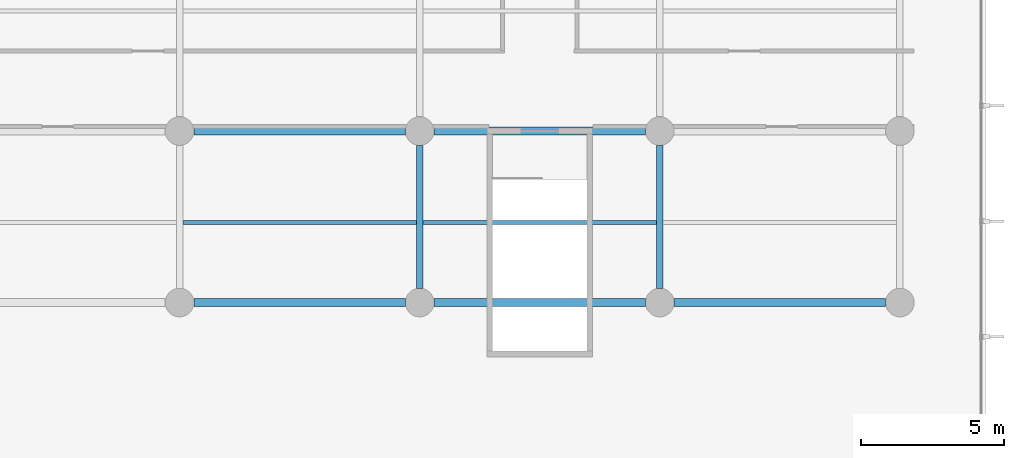
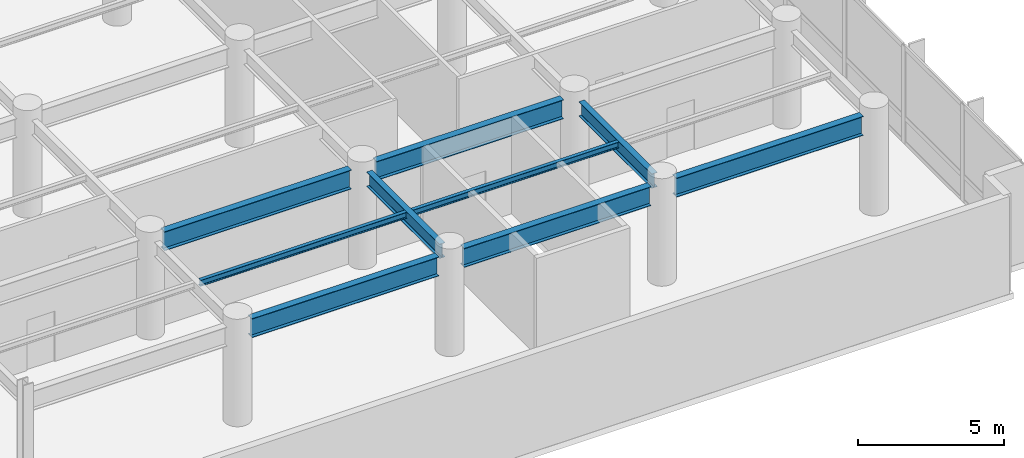
# One storey, part 6 of 23: 9 beams.
"""IFC4 building model written with IfcOpenShell, lengths in metres."""

import ifcopenshell
import ifcopenshell.guid

model = None  # the IFC model being written
_history = None  # IfcOwnerHistory: only IFC2X3 demands one
_inside = {}  # id of a spatial element -> (the spatial element, [elements in it])
_under = {}  # id of a project, library or spatial element -> (it, [spatial elements below it])
_declared = {}  # id of a project -> (the project, [libraries it declares])
_typed = {}  # id of a type object -> (the type object, [elements of that type])
_made_of = {}  # id of a material, layer set ... -> (it, [elements and type objects made of it])


def new_model(schema):
    """Start an empty IFC model of exactly this schema.

    Asked for "IFC4X3", IfcOpenShell would pick the latest addendum, in which some entities
    have other attributes; the version numbers below select the first issue.
    IFC2X3 requires an IfcOwnerHistory on every rooted entity: one is made here for all.
    """
    global model, _history
    if schema == "IFC4X3":
        model = ifcopenshell.file(schema_version=(4, 3, 0, 0))
    else:
        model = ifcopenshell.file(schema=schema)
    _inside.clear()
    _under.clear()
    _declared.clear()
    _typed.clear()
    _made_of.clear()
    _history = None
    if model.schema == "IFC2X3":
        org = make("IfcOrganization", Name="unknown")
        user = make(
            "IfcPersonAndOrganization",
            ThePerson=make("IfcPerson", FamilyName="unknown"),
            TheOrganization=org,
        )
        app = make(
            "IfcApplication",
            ApplicationDeveloper=org,
            Version="unknown",
            ApplicationFullName="unknown",
            ApplicationIdentifier="unknown",
        )
        _history = make(
            "IfcOwnerHistory",
            OwningUser=user,
            OwningApplication=app,
            ChangeAction="ADDED",
            CreationDate=0,
        )
    return model


def make(cls, **values):
    """One entity of the class cls with the attributes given. An attribute that is None is left unset."""
    return model.create_entity(
        cls, **{name: value for name, value in values.items() if value is not None}
    )


def rooted(cls, **values):
    """An entity with a GlobalId (a new one), such as an element, a storey or a relation."""
    return make(cls, GlobalId=ifcopenshell.guid.new(), OwnerHistory=_history, **values)


def si_unit(unit_type, name, prefix=None):
    """IfcSIUnit, for example si_unit("LENGTHUNIT", "METRE", prefix="MILLI")."""
    return make("IfcSIUnit", UnitType=unit_type, Prefix=prefix, Name=name)


def assignment(units):
    """IfcUnitAssignment: the units of a project."""
    return None if units is None else make("IfcUnitAssignment", Units=units)


def point(xyz):
    """IfcCartesianPoint."""
    return None if xyz is None else make("IfcCartesianPoint", Coordinates=xyz)


def direction(xyz):
    """IfcDirection."""
    return None if xyz is None else make("IfcDirection", DirectionRatios=xyz)


def frame(location, z_axis=None, x_axis=None):
    """IfcAxis2Placement3D, a coordinate frame: its origin and axes. An axis left out is left unset."""
    return make(
        "IfcAxis2Placement3D",
        Location=point(location),
        Axis=direction(z_axis),
        RefDirection=direction(x_axis),
    )


def frame_2d(location, x_axis=None):
    """IfcAxis2Placement2D, a coordinate frame in the plane: its origin and x axis."""
    return make(
        "IfcAxis2Placement2D", Location=point(location), RefDirection=direction(x_axis)
    )


def origin():
    """The frame at (0, 0, 0) with its axes left unset."""
    return frame((0.0, 0.0, 0.0))


def origin_2d():
    """The frame at (0, 0) in the plane with its x axis left unset."""
    return frame_2d((0.0, 0.0))


def place(relative_to, where):
    """IfcLocalPlacement: puts the frame where relative to a parent placement (None: the world)."""
    return make(
        "IfcLocalPlacement", PlacementRelTo=relative_to, RelativePlacement=where
    )


def context(
    kind, dimensions, precision=None, world=None, true_north=None, identifier=None
):
    """IfcGeometricRepresentationContext, for example the 3D "Model" context."""
    return make(
        "IfcGeometricRepresentationContext",
        ContextIdentifier=identifier,
        ContextType=kind,
        CoordinateSpaceDimension=dimensions,
        Precision=precision,
        WorldCoordinateSystem=world,
        TrueNorth=true_north,
    )


def subcontext(parent, identifier, kind, view, scale=None):
    """IfcGeometricRepresentationSubContext, for example "Body" below "Model"."""
    return make(
        "IfcGeometricRepresentationSubContext",
        ContextIdentifier=identifier,
        ContextType=kind,
        ParentContext=parent,
        TargetScale=scale,
        TargetView=view,
    )


def project(units=None, contexts=None):
    """IfcProject with its units and contexts."""
    return rooted(
        "IfcProject",
        Name="project",
        RepresentationContexts=contexts,
        UnitsInContext=assignment(units),
    )


def spatial(cls, under=None, at=None, **own):
    """A site, building, storey or space (cls), placed at a placement, below another one or the project."""
    s = rooted(cls, ObjectPlacement=at, **own)
    if under is not None:
        _under.setdefault(under.id(), (under, []))[1].append(s)
    return s


def profile(cls, at=None, kind="AREA", **sizes):
    """A parametric profile (cls). Its sizes go by their IFC names, for example OverallWidth=200.0."""
    return make(cls, ProfileType=kind, Position=at, **sizes)


def i_section(**sizes):
    """IfcIShapeProfileDef."""
    return profile("IfcIShapeProfileDef", **sizes)


def extrude(swept, where, along, depth):
    """IfcExtrudedAreaSolid: the profile swept, set in the frame where, extruded along a direction by depth."""
    return make(
        "IfcExtrudedAreaSolid",
        SweptArea=swept,
        Position=where,
        ExtrudedDirection=direction(along),
        Depth=depth,
    )


def shape(context_of_items, identifier, shape_type, items):
    """IfcShapeRepresentation: the items that make up one representation, for example the "Body"."""
    return make(
        "IfcShapeRepresentation",
        ContextOfItems=context_of_items,
        RepresentationIdentifier=identifier,
        RepresentationType=shape_type,
        Items=items,
    )


def material(Name=None, Category=None):
    """IfcMaterial."""
    return make("IfcMaterial", Name=Name, Category=Category)


def material_profile(
    of_material, cross_section, Name=None, Category=None, Priority=None
):
    """IfcMaterialProfile: a cross section and its material."""
    return make(
        "IfcMaterialProfile",
        Name=Name,
        Material=of_material,
        Profile=cross_section,
        Priority=Priority,
        Category=Category,
    )


def profile_set(profiles, Name=None, composite=None):
    """IfcMaterialProfileSet."""
    return make(
        "IfcMaterialProfileSet",
        Name=Name,
        MaterialProfiles=profiles,
        CompositeProfile=composite,
    )


def made_of(thing, what):
    """Note that an element or type object is made of a material, layer set ...; save() writes the relation."""
    if what is not None:
        _made_of.setdefault(what.id(), (what, []))[1].append(thing)
    return thing


def type_object(cls, material=None, **own):
    """A type object (cls), such as IfcWallType, which elements share."""
    return made_of(rooted(cls, **own), material)


def element(
    cls,
    number,
    at=None,
    inside=None,
    cuts=None,
    type_object=None,
    material=None,
    context=None,
    identifier="Body",
    shape_type=None,
    held_by="IfcProductDefinitionShape",
    body=None,
    shapes=None,
    **own,
):
    """One element of the class cls, such as IfcWall. Its Tag is "e" and its number.

    at: its placement. inside: the storey or other place that contains it. cuts: it is an
    opening in that element (IfcRelVoidsElement). A single representation is given by context,
    identifier, shape_type and body (its items); several are given by shapes. held_by: the class
    of the entity that holds the representations. save() writes the other relations.
    """
    e = rooted(cls, Tag="e%d" % number, ObjectPlacement=at, **own)
    if body is not None:
        shapes = [shape(context, identifier, shape_type, body)]
    if shapes is not None:
        e.Representation = make(held_by, Representations=shapes)
    if inside is not None:
        _inside.setdefault(inside.id(), (inside, []))[1].append(e)
    if cuts is not None:
        rooted(
            "IfcRelVoidsElement", RelatingBuildingElement=cuts, RelatedOpeningElement=e
        )
    if type_object is not None:
        _typed.setdefault(type_object.id(), (type_object, []))[1].append(e)
    return made_of(e, material)


def aggregate(whole, parts):
    """IfcRelAggregates: a whole, such as a stair, and the parts it consists of."""
    return rooted("IfcRelAggregates", RelatingObject=whole, RelatedObjects=parts)


def save(model, path):
    """Write the relations noted so far, then the file.

    IfcRelAggregates (storeys below a building ...), IfcRelContainedInSpatialStructure (elements
    in a storey), IfcRelDefinesByType, IfcRelAssociatesMaterial and IfcRelDeclares: one each for
    every whole, place, type object, material and project.
    """
    for whole, parts in _under.values():
        aggregate(whole, parts)
    for where, things in _inside.values():
        rooted(
            "IfcRelContainedInSpatialStructure",
            RelatedElements=things,
            RelatingStructure=where,
        )
    for kind, things in _typed.values():
        rooted("IfcRelDefinesByType", RelatedObjects=things, RelatingType=kind)
    for what, things in _made_of.values():
        rooted("IfcRelAssociatesMaterial", RelatedObjects=things, RelatingMaterial=what)
    for by, libraries in _declared.values():
        rooted("IfcRelDeclares", RelatingContext=by, RelatedDefinitions=libraries)
    model.write(path)


model = new_model("IFC4")

# Units and contexts
model_context = context("Model", 3, precision=1e-05, world=origin(), true_north=direction((0.0, 1.0)))
body_context = subcontext(model_context, "Body", "Model", "MODEL_VIEW")
ifc_project = project(units=[si_unit("LENGTHUNIT", "METRE"), si_unit("AREAUNIT", "SQUARE_METRE"), si_unit("VOLUMEUNIT", "CUBIC_METRE"), si_unit("PLANEANGLEUNIT", "RADIAN"), si_unit("MASSUNIT", "GRAM", prefix="KILO")], contexts=[model_context])

# Site, building, storey
site_placement = place(None, origin())
site = spatial("IfcSite", under=ifc_project, at=site_placement, CompositionType="ELEMENT")
building_placement = place(site_placement, origin())
building = spatial("IfcBuilding", under=site, at=building_placement, Name="Varnakote Quay Hospital", CompositionType="ELEMENT")
storey_placement = place(building_placement, frame((0.0, 0.0, 18.0)))
storey = spatial("IfcBuildingStorey", under=building, at=storey_placement, Name="L04", CompositionType="ELEMENT", Elevation=18.0)

# Beams
ifc_material_1 = material(Name="Structural steel AS/NZS 3679.1 Grade 350 L0 (fy 340 MPa)", Category="steel")
ifc_material_profile_1 = material_profile(ifc_material_1, i_section(OverallWidth=0.22802734375, OverallDepth=0.60205078125, WebThickness=0.010498046875, FlangeThickness=0.014892578125, FilletRadius=0.013916015625, at=origin_2d()), Name="610UB101")
ifc_profile_set_1 = profile_set([ifc_material_profile_1], Name="Structural steel AS/NZS 3679.1 Grade 350 L0 (fy 340 MPa)")
beam_type_1 = type_object("IfcBeamType", Name="BM-STL-610UB101", PredefinedType="BEAM", material=ifc_profile_set_1)
for number, where, z_axis, x_axis, name in (
    (1, (67.199951171875, 6.5, 3.779052734375), (0.0, 1.0, 0.0), (-1.0, 0.0, 0.0), "L04 Primary Tie Beam"),
    (2, (75.60009765625, 6.5, 3.779052734375), (0.0, 1.0, 0.0), (-1.0, 0.0, 0.0), "L04 Primary Tie Beam"),
):
    element("IfcBeam", number, at=place(storey_placement, frame(where, z_axis=z_axis, x_axis=x_axis)), inside=storey, type_object=beam_type_1, Name=name, PredefinedType="BEAM", context=body_context, shape_type="SweptSolid", body=[
        extrude(i_section(OverallWidth=0.22802734375, OverallDepth=0.60205078125, WebThickness=0.010498046875, FlangeThickness=0.014892578125, FilletRadius=0.013916015625, at=origin_2d()), origin(), (0.0, 0.0, 1.0), 5.0),
    ])
ifc_material_2 = material(Name="Structural steel AS/NZS 3678 Grade 350 (fy 340 MPa)", Category="steel")
ifc_material_profile_2 = material_profile(ifc_material_2, i_section(OverallWidth=0.27490234375, OverallDepth=0.800048828125, WebThickness=0.010009765625, FlangeThickness=0.02001953125, at=origin_2d()), Name="800WB146")
ifc_profile_set_2 = profile_set([ifc_material_profile_2], Name="Structural steel AS/NZS 3678 Grade 350 (fy 340 MPa)")
beam_type_2 = type_object("IfcBeamType", Name="BM-STL-800WB146", PredefinedType="BEAM", material=ifc_profile_set_2)
beam_1_placement = place(storey_placement, frame((59.300048828125, 6.0, 3.679931640625), z_axis=(1.0, 0.0, 0.0), x_axis=(0.0, 1.0, 0.0)))
element("IfcBeam", 3, at=beam_1_placement, inside=storey, type_object=beam_type_2, Name="L04 Plated Composite Transfer Beam", PredefinedType="BEAM", context=body_context, shape_type="SweptSolid", body=[
    extrude(i_section(OverallWidth=0.27490234375, OverallDepth=0.800048828125, WebThickness=0.010009765625, FlangeThickness=0.02001953125, at=origin_2d()), origin(), (0.0, 0.0, 1.0), 7.39990234375),
])
beam_2_placement = place(storey_placement, frame((67.699951171875, 6.0, 3.679931640625), z_axis=(1.0, 0.0, 0.0), x_axis=(0.0, 1.0, 0.0)))
element("IfcBeam", 4, at=beam_2_placement, inside=storey, type_object=beam_type_2, Name="L04 Plated Composite Transfer Beam", PredefinedType="BEAM", context=body_context, shape_type="SweptSolid", body=[
    extrude(i_section(OverallWidth=0.27490234375, OverallDepth=0.800048828125, WebThickness=0.010009765625, FlangeThickness=0.02001953125, at=origin_2d()), origin(), (0.0, 0.0, 1.0), 7.400146484375),
])
for number, where, z_axis, x_axis, name in (
    (5, (76.10009765625, 6.0, 3.679931640625), (1.0, 0.0, 0.0), (0.0, 1.0, 0.0), "L04 Plated Composite Transfer Beam"),
    (6, (59.300048828125, 12.0, 3.679931640625), (1.0, 0.0, 0.0), (0.0, 1.0, 0.0), "L04 Plated Composite Transfer Beam"),
):
    element("IfcBeam", number, at=place(storey_placement, frame(where, z_axis=z_axis, x_axis=x_axis)), inside=storey, type_object=beam_type_2, Name=name, PredefinedType="BEAM", context=body_context, shape_type="SweptSolid", body=[
        extrude(i_section(OverallWidth=0.27490234375, OverallDepth=0.800048828125, WebThickness=0.010009765625, FlangeThickness=0.02001953125, at=origin_2d()), origin(), (0.0, 0.0, 1.0), 7.39990234375),
    ])
beam_3_placement = place(storey_placement, frame((67.699951171875, 12.0, 3.679931640625), z_axis=(1.0, 0.0, 0.0), x_axis=(0.0, 1.0, 0.0)))
element("IfcBeam", 7, at=beam_3_placement, inside=storey, type_object=beam_type_2, Name="L04 Plated Composite Transfer Beam", PredefinedType="BEAM", context=body_context, shape_type="SweptSolid", body=[
    extrude(i_section(OverallWidth=0.27490234375, OverallDepth=0.800048828125, WebThickness=0.010009765625, FlangeThickness=0.02001953125, at=origin_2d()), origin(), (0.0, 0.0, 1.0), 7.400146484375),
])
ifc_material_3 = material(Name="Structural steel AS/NZS 3679.1 Grade 350 L0 (fy 340 MPa)", Category="steel")
ifc_material_profile_3 = material_profile(ifc_material_3, i_section(OverallWidth=0.14599609375, OverallDepth=0.256103515625, WebThickness=0.00634765625, FlangeThickness=0.010986328125, FilletRadius=0.0087890625, at=origin_2d()), Name="250UB37.3")
ifc_profile_set_3 = profile_set([ifc_material_profile_3], Name="Structural steel AS/NZS 3679.1 Grade 350 L0 (fy 340 MPa)")
beam_type_3 = type_object("IfcBeamType", Name="JST-STL-250UB37-3", PredefinedType="JOIST", material=ifc_profile_set_3)
beam_4_placement = place(storey_placement, frame((58.9140625, 8.800048828125, 3.951904296875), z_axis=(1.0, 0.0, 0.0), x_axis=(0.0, 1.0, 0.0)))
element("IfcBeam", 8, at=beam_4_placement, inside=storey, type_object=beam_type_3, Name="L04 Composite Floor Joist", PredefinedType="JOIST", context=body_context, shape_type="SweptSolid", body=[
    extrude(i_section(OverallWidth=0.14599609375, OverallDepth=0.256103515625, WebThickness=0.00634765625, FlangeThickness=0.010986328125, FilletRadius=0.0087890625, at=origin_2d()), origin(), (0.0, 0.0, 1.0), 8.171875),
])
beam_5_placement = place(storey_placement, frame((67.31396484375, 8.800048828125, 3.951904296875), z_axis=(1.0, 0.0, 0.0), x_axis=(0.0, 1.0, 0.0)))
element("IfcBeam", 9, at=beam_5_placement, inside=storey, type_object=beam_type_3, Name="L04 Composite Floor Joist", PredefinedType="JOIST", context=body_context, shape_type="SweptSolid", body=[
    extrude(i_section(OverallWidth=0.14599609375, OverallDepth=0.256103515625, WebThickness=0.00634765625, FlangeThickness=0.010986328125, FilletRadius=0.0087890625, at=origin_2d()), origin(), (0.0, 0.0, 1.0), 8.172119140625),
])

save(model, "model.ifc")
